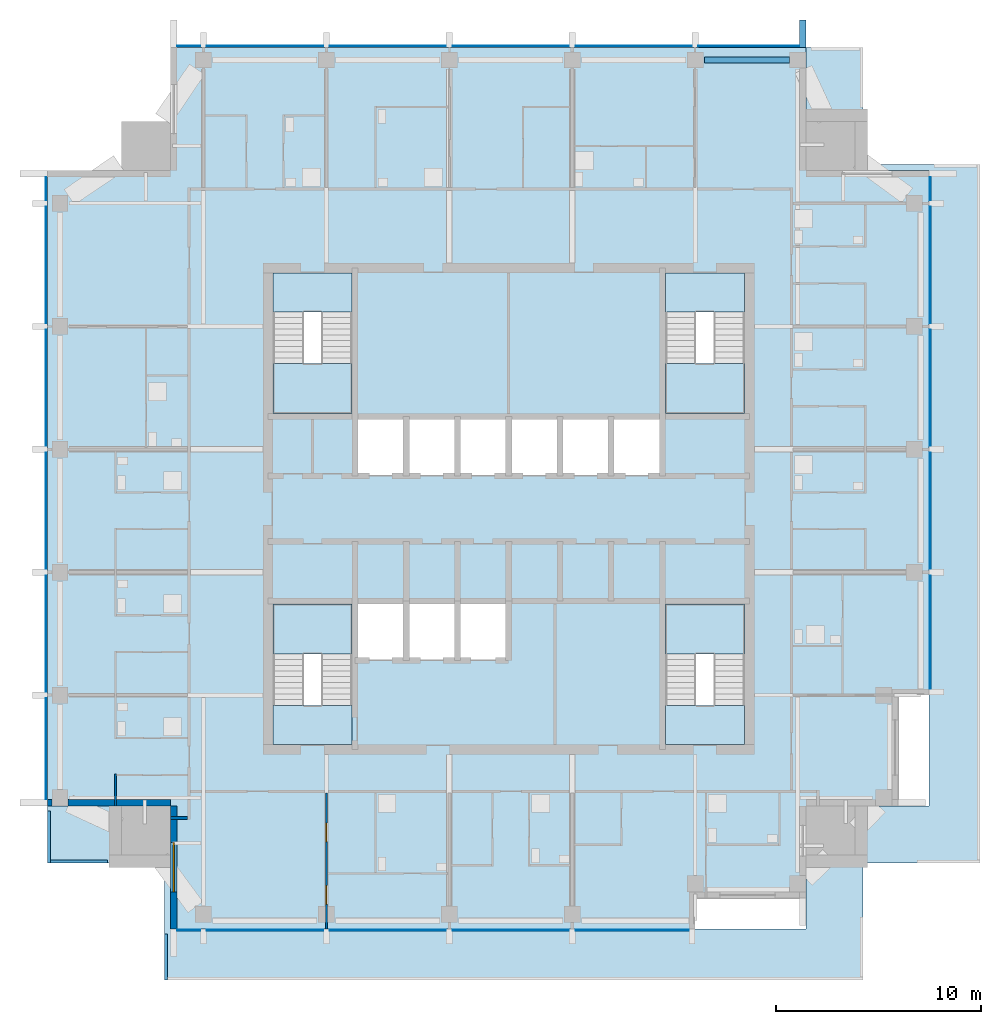
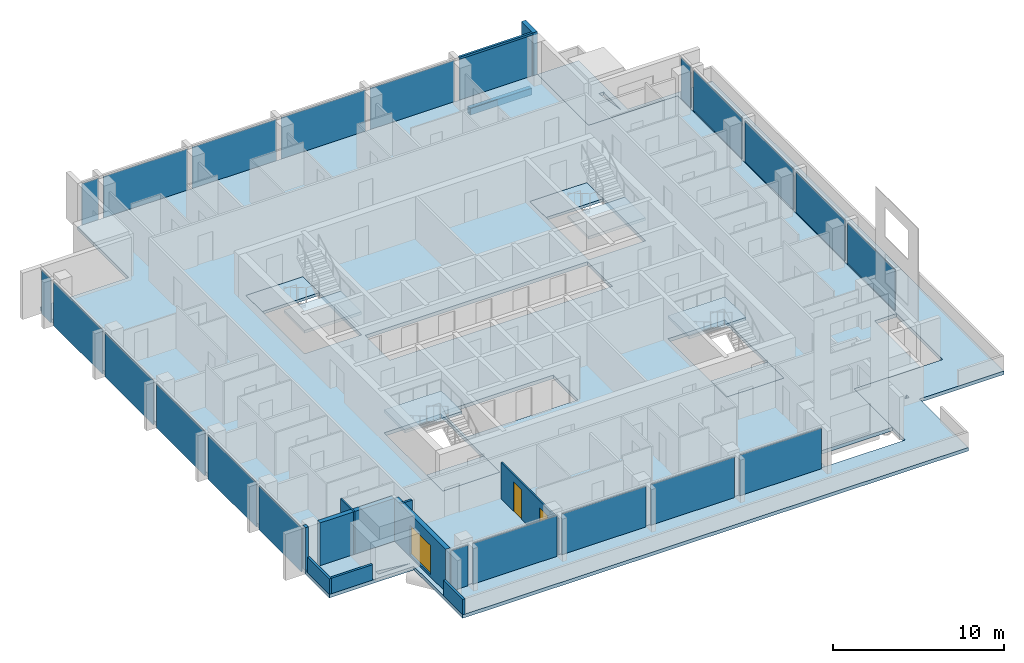
# One storey, part 3 of 11: 22 plates, 10 slabs, 9 walls, 2 doors, 2 members, 1 beam, 1 window, 3 openings, 8 elements without a shape of their own.
"""IFC4 building model written with IfcOpenShell, lengths in metres."""

import ifcopenshell
import ifcopenshell.guid

model = None  # the IFC model being written
_history = None  # IfcOwnerHistory: only IFC2X3 demands one
_inside = {}  # id of a spatial element -> (the spatial element, [elements in it])
_under = {}  # id of a project, library or spatial element -> (it, [spatial elements below it])
_declared = {}  # id of a project -> (the project, [libraries it declares])
_typed = {}  # id of a type object -> (the type object, [elements of that type])
_made_of = {}  # id of a material, layer set ... -> (it, [elements and type objects made of it])


def new_model(schema):
    """Start an empty IFC model of exactly this schema.

    Asked for "IFC4X3", IfcOpenShell would pick the latest addendum, in which some entities
    have other attributes; the version numbers below select the first issue.
    IFC2X3 requires an IfcOwnerHistory on every rooted entity: one is made here for all.
    """
    global model, _history
    if schema == "IFC4X3":
        model = ifcopenshell.file(schema_version=(4, 3, 0, 0))
    else:
        model = ifcopenshell.file(schema=schema)
    _inside.clear()
    _under.clear()
    _declared.clear()
    _typed.clear()
    _made_of.clear()
    _history = None
    if model.schema == "IFC2X3":
        org = make("IfcOrganization", Name="unknown")
        user = make(
            "IfcPersonAndOrganization",
            ThePerson=make("IfcPerson", FamilyName="unknown"),
            TheOrganization=org,
        )
        app = make(
            "IfcApplication",
            ApplicationDeveloper=org,
            Version="unknown",
            ApplicationFullName="unknown",
            ApplicationIdentifier="unknown",
        )
        _history = make(
            "IfcOwnerHistory",
            OwningUser=user,
            OwningApplication=app,
            ChangeAction="ADDED",
            CreationDate=0,
        )
    return model


def make(cls, **values):
    """One entity of the class cls with the attributes given. An attribute that is None is left unset."""
    return model.create_entity(
        cls, **{name: value for name, value in values.items() if value is not None}
    )


def rooted(cls, **values):
    """An entity with a GlobalId (a new one), such as an element, a storey or a relation."""
    return make(cls, GlobalId=ifcopenshell.guid.new(), OwnerHistory=_history, **values)


def si_unit(unit_type, name, prefix=None):
    """IfcSIUnit, for example si_unit("LENGTHUNIT", "METRE", prefix="MILLI")."""
    return make("IfcSIUnit", UnitType=unit_type, Prefix=prefix, Name=name)


def assignment(units):
    """IfcUnitAssignment: the units of a project."""
    return None if units is None else make("IfcUnitAssignment", Units=units)


def point(xyz):
    """IfcCartesianPoint."""
    return None if xyz is None else make("IfcCartesianPoint", Coordinates=xyz)


def direction(xyz):
    """IfcDirection."""
    return None if xyz is None else make("IfcDirection", DirectionRatios=xyz)


def frame(location, z_axis=None, x_axis=None):
    """IfcAxis2Placement3D, a coordinate frame: its origin and axes. An axis left out is left unset."""
    return make(
        "IfcAxis2Placement3D",
        Location=point(location),
        Axis=direction(z_axis),
        RefDirection=direction(x_axis),
    )


def frame_2d(location, x_axis=None):
    """IfcAxis2Placement2D, a coordinate frame in the plane: its origin and x axis."""
    return make(
        "IfcAxis2Placement2D", Location=point(location), RefDirection=direction(x_axis)
    )


def origin():
    """The frame at (0, 0, 0) with its axes left unset."""
    return frame((0.0, 0.0, 0.0))


def origin_2d():
    """The frame at (0, 0) in the plane with its x axis left unset."""
    return frame_2d((0.0, 0.0))


def place(relative_to, where):
    """IfcLocalPlacement: puts the frame where relative to a parent placement (None: the world)."""
    return make(
        "IfcLocalPlacement", PlacementRelTo=relative_to, RelativePlacement=where
    )


def context(
    kind, dimensions, precision=None, world=None, true_north=None, identifier=None
):
    """IfcGeometricRepresentationContext, for example the 3D "Model" context."""
    return make(
        "IfcGeometricRepresentationContext",
        ContextIdentifier=identifier,
        ContextType=kind,
        CoordinateSpaceDimension=dimensions,
        Precision=precision,
        WorldCoordinateSystem=world,
        TrueNorth=true_north,
    )


def subcontext(parent, identifier, kind, view, scale=None):
    """IfcGeometricRepresentationSubContext, for example "Body" below "Model"."""
    return make(
        "IfcGeometricRepresentationSubContext",
        ContextIdentifier=identifier,
        ContextType=kind,
        ParentContext=parent,
        TargetScale=scale,
        TargetView=view,
    )


def project(units=None, contexts=None):
    """IfcProject with its units and contexts."""
    return rooted(
        "IfcProject",
        Name="project",
        RepresentationContexts=contexts,
        UnitsInContext=assignment(units),
    )


def spatial(cls, under=None, at=None, **own):
    """A site, building, storey or space (cls), placed at a placement, below another one or the project."""
    s = rooted(cls, ObjectPlacement=at, **own)
    if under is not None:
        _under.setdefault(under.id(), (under, []))[1].append(s)
    return s


def polyline(points):
    """IfcPolyline through the points."""
    return make("IfcPolyline", Points=[point(p) for p in points])


def profile(cls, at=None, kind="AREA", **sizes):
    """A parametric profile (cls). Its sizes go by their IFC names, for example OverallWidth=200.0."""
    return make(cls, ProfileType=kind, Position=at, **sizes)


def rectangle(**sizes):
    """IfcRectangleProfileDef."""
    return profile("IfcRectangleProfileDef", **sizes)


def hollow_rectangle(**sizes):
    """IfcRectangleHollowProfileDef."""
    return profile("IfcRectangleHollowProfileDef", **sizes)


def outline(outer, holes=None, kind="AREA"):
    """IfcArbitraryClosedProfileDef: a profile drawn as a closed curve; with holes, ...WithVoids."""
    if holes is None:
        return make("IfcArbitraryClosedProfileDef", ProfileType=kind, OuterCurve=outer)
    return make(
        "IfcArbitraryProfileDefWithVoids",
        ProfileType=kind,
        OuterCurve=outer,
        InnerCurves=holes,
    )


def extrude(swept, where, along, depth):
    """IfcExtrudedAreaSolid: the profile swept, set in the frame where, extruded along a direction by depth."""
    return make(
        "IfcExtrudedAreaSolid",
        SweptArea=swept,
        Position=where,
        ExtrudedDirection=direction(along),
        Depth=depth,
    )


def shape(context_of_items, identifier, shape_type, items):
    """IfcShapeRepresentation: the items that make up one representation, for example the "Body"."""
    return make(
        "IfcShapeRepresentation",
        ContextOfItems=context_of_items,
        RepresentationIdentifier=identifier,
        RepresentationType=shape_type,
        Items=items,
    )


def material(Name=None, Category=None):
    """IfcMaterial."""
    return make("IfcMaterial", Name=Name, Category=Category)


def layer(
    of_material, thickness, ventilated=None, Name=None, Category=None, Priority=None
):
    """IfcMaterialLayer: one layer of a wall or slab, of a material (None: an air gap)."""
    return make(
        "IfcMaterialLayer",
        Material=of_material,
        LayerThickness=thickness,
        IsVentilated=ventilated,
        Name=Name,
        Category=Category,
        Priority=Priority,
    )


def layer_set(layers, Name=None):
    """IfcMaterialLayerSet."""
    return make("IfcMaterialLayerSet", MaterialLayers=layers, LayerSetName=Name)


def material_profile(
    of_material, cross_section, Name=None, Category=None, Priority=None
):
    """IfcMaterialProfile: a cross section and its material."""
    return make(
        "IfcMaterialProfile",
        Name=Name,
        Material=of_material,
        Profile=cross_section,
        Priority=Priority,
        Category=Category,
    )


def profile_set(profiles, Name=None, composite=None):
    """IfcMaterialProfileSet."""
    return make(
        "IfcMaterialProfileSet",
        Name=Name,
        MaterialProfiles=profiles,
        CompositeProfile=composite,
    )


def made_of(thing, what):
    """Note that an element or type object is made of a material, layer set ...; save() writes the relation."""
    if what is not None:
        _made_of.setdefault(what.id(), (what, []))[1].append(thing)
    return thing


def type_object(cls, material=None, **own):
    """A type object (cls), such as IfcWallType, which elements share."""
    return made_of(rooted(cls, **own), material)


def element(
    cls,
    number,
    at=None,
    inside=None,
    cuts=None,
    type_object=None,
    material=None,
    context=None,
    identifier="Body",
    shape_type=None,
    held_by="IfcProductDefinitionShape",
    body=None,
    shapes=None,
    **own,
):
    """One element of the class cls, such as IfcWall. Its Tag is "e" and its number.

    at: its placement. inside: the storey or other place that contains it. cuts: it is an
    opening in that element (IfcRelVoidsElement). A single representation is given by context,
    identifier, shape_type and body (its items); several are given by shapes. held_by: the class
    of the entity that holds the representations. save() writes the other relations.
    """
    e = rooted(cls, Tag="e%d" % number, ObjectPlacement=at, **own)
    if body is not None:
        shapes = [shape(context, identifier, shape_type, body)]
    if shapes is not None:
        e.Representation = make(held_by, Representations=shapes)
    if inside is not None:
        _inside.setdefault(inside.id(), (inside, []))[1].append(e)
    if cuts is not None:
        rooted(
            "IfcRelVoidsElement", RelatingBuildingElement=cuts, RelatedOpeningElement=e
        )
    if type_object is not None:
        _typed.setdefault(type_object.id(), (type_object, []))[1].append(e)
    return made_of(e, material)


def fill(opening, filler):
    """IfcRelFillsElement: the door or window that sits in an opening."""
    return rooted(
        "IfcRelFillsElement",
        RelatingOpeningElement=opening,
        RelatedBuildingElement=filler,
    )


def aggregate(whole, parts):
    """IfcRelAggregates: a whole, such as a stair, and the parts it consists of."""
    return rooted("IfcRelAggregates", RelatingObject=whole, RelatedObjects=parts)


def save(model, path):
    """Write the relations noted so far, then the file.

    IfcRelAggregates (storeys below a building ...), IfcRelContainedInSpatialStructure (elements
    in a storey), IfcRelDefinesByType, IfcRelAssociatesMaterial and IfcRelDeclares: one each for
    every whole, place, type object, material and project.
    """
    for whole, parts in _under.values():
        aggregate(whole, parts)
    for where, things in _inside.values():
        rooted(
            "IfcRelContainedInSpatialStructure",
            RelatedElements=things,
            RelatingStructure=where,
        )
    for kind, things in _typed.values():
        rooted("IfcRelDefinesByType", RelatedObjects=things, RelatingType=kind)
    for what, things in _made_of.values():
        rooted("IfcRelAssociatesMaterial", RelatedObjects=things, RelatingMaterial=what)
    for by, libraries in _declared.values():
        rooted("IfcRelDeclares", RelatingContext=by, RelatedDefinitions=libraries)
    model.write(path)


model = new_model("IFC4")

# Units and contexts
model_context = context("Model", 3, precision=1e-05, world=origin(), true_north=direction((0.0, 1.0)))
body_context = subcontext(model_context, "Body", "Model", "MODEL_VIEW")
ifc_project = project(units=[si_unit("LENGTHUNIT", "METRE"), si_unit("AREAUNIT", "SQUARE_METRE"), si_unit("VOLUMEUNIT", "CUBIC_METRE"), si_unit("PLANEANGLEUNIT", "RADIAN"), si_unit("MASSUNIT", "GRAM", prefix="KILO")], contexts=[model_context])

# Site, building, storey
site_placement = place(None, origin())
site = spatial("IfcSite", under=ifc_project, at=site_placement, CompositionType="ELEMENT")
building_placement = place(site_placement, origin())
building = spatial("IfcBuilding", under=site, at=building_placement, Name="Amberfall Residences", CompositionType="ELEMENT")
storey_placement = place(building_placement, frame((0.0, 0.0, 238.89990234375)))
storey = spatial("IfcBuildingStorey", under=building, at=storey_placement, Name="L63", CompositionType="ELEMENT", Elevation=238.89990234375)

# Beam
ifc_material_1 = material(Name="Steel S355", Category="steel")
ifc_material_profile_1 = material_profile(ifc_material_1, hollow_rectangle(XDim=0.300048828125, YDim=0.5, WallThickness=0.01611328125, InnerFilletRadius=0.01611328125, OuterFilletRadius=0.02392578125, at=origin_2d()), Name="RHS 500x300x16")
ifc_profile_set_1 = profile_set([ifc_material_profile_1], Name="Steel S355")
beam_type = type_object("IfcBeamType", Name="Belt truss chord BT RHS 500x300x16", PredefinedType="BEAM", material=ifc_profile_set_1)
beam_placement = place(storey_placement, frame((84.050048828125, 67.39990234375, -0.5), z_axis=(1.0, 0.0, 0.0), x_axis=(0.0, 1.0, 0.0)))
element("IfcBeam", 1, at=beam_placement, inside=storey, type_object=beam_type, Name="Belt truss chord BT BT1 L63 29", PredefinedType="BEAM", context=body_context, shape_type="SweptSolid", body=[
    extrude(hollow_rectangle(XDim=0.300048828125, YDim=0.5, WallThickness=0.01611328125, InnerFilletRadius=0.01611328125, OuterFilletRadius=0.02392578125, at=origin_2d()), origin(), (0.0, 0.0, 1.0), 4.151611328125),
])

# Curtain wall, members
ifc_material_2 = material(Name="Bronze anodised aluminium and glass", Category="aluminium")
curtain_wall_type = type_object("IfcCurtainWallType", Name="Curtain wall CW1 tower unit", PredefinedType="USERDEFINED", material=ifc_material_2)
curtain_wall_1_placement = place(storey_placement, origin())
curtain_wall_1 = element("IfcCurtainWall", 2, at=curtain_wall_1_placement, inside=storey, type_object=curtain_wall_type, Name="Curtain wall L63 N N1", ObjectType="UNITISED CURTAIN WALL", PredefinedType="USERDEFINED")
ifc_material_3 = material(Name="Bronze anodised aluminium", Category="aluminium")
ifc_material_profile_2 = material_profile(ifc_material_3, rectangle(XDim=0.14990234375, YDim=0.14990234375, at=origin_2d()), Name="CW1 transom 150 x 150 bronze")
ifc_profile_set_2 = profile_set([ifc_material_profile_2], Name="Bronze anodised aluminium")
member_type_1 = type_object("IfcMemberType", Name="CW1 transom 150 x 150 bronze", PredefinedType="USERDEFINED", material=ifc_profile_set_2)
member_1_placement = place(storey_placement, frame((88.699951171875, 68.074951171875, 2.97509765625), z_axis=(-1.0, 0.0, 0.0), x_axis=(0.0, -1.0, 0.0)))
member_1 = element("IfcMember", 3, at=member_1_placement, type_object=member_type_1, Name="CW1 transom 1.1", ObjectType="TRANSOM", PredefinedType="USERDEFINED", context=body_context, shape_type="SweptSolid", body=[
    extrude(rectangle(XDim=0.14990234375, YDim=0.14990234375, at=origin_2d()), origin(), (0.0, 0.0, 1.0), 4.949951171875),
])
ifc_material_profile_3 = material_profile(ifc_material_3, rectangle(XDim=1.35009765625, YDim=0.300048828125, at=origin_2d()), Name="Corner fin 300 x 1350 bronze")
ifc_profile_set_3 = profile_set([ifc_material_profile_3], Name="Bronze anodised aluminium")
member_type_2 = type_object("IfcMemberType", Name="Corner fin 300 x 1350 bronze", PredefinedType="MULLION", material=ifc_profile_set_3)
member_2_placement = place(storey_placement, frame((88.85009765625, 68.675048828125, -0.25), z_axis=(0.0, 0.0, 1.0), x_axis=(0.0, -1.0, 0.0)))
member_2 = element("IfcMember", 4, at=member_2_placement, type_object=member_type_2, Name="CW FIN 1", PredefinedType="MULLION", context=body_context, shape_type="SweptSolid", body=[
    extrude(rectangle(XDim=1.35009765625, YDim=0.300048828125, at=origin_2d()), origin(), (0.0, 0.0, 1.0), 3.300048828125),
])

# Curtain wall, plates
curtain_wall_2_placement = place(storey_placement, origin())
curtain_wall_2 = element("IfcCurtainWall", 5, at=curtain_wall_2_placement, inside=storey, type_object=curtain_wall_type, Name="Curtain wall L63 S S1", ObjectType="UNITISED CURTAIN WALL", PredefinedType="USERDEFINED")
ifc_material_4 = material(Name="Tinted double glazed unit", Category="glass")
ifc_layer_1 = layer(ifc_material_4, 0.035888671875)
ifc_layer_set_1 = layer_set([ifc_layer_1], Name="CW1 panel 36 glazing")
plate_type = type_object("IfcPlateType", Name="CW1 panel 36 glazing", PredefinedType="CURTAIN_PANEL", material=ifc_layer_set_1)
plate_1_placement = place(storey_placement, frame((58.875, 24.925048828125, 0.000244140625), z_axis=(0.0, 0.0, 1.0), x_axis=(1.0, 0.0, 0.0)))
plate_1 = element("IfcPlate", 6, at=plate_1_placement, type_object=plate_type, Name="CW1 panel 1.1", PredefinedType="CURTAIN_PANEL", context=body_context, shape_type="SweptSolid", body=[
    extrude(rectangle(XDim=1.1259765625, YDim=0.035888671875, at=origin_2d()), origin(), (0.0, 0.0, 1.0), 2.89990234375),
])
plate_2_placement = place(storey_placement, frame((62.60009765625, 24.925048828125, 0.000244140625), z_axis=(0.0, 0.0, 1.0), x_axis=(1.0, 0.0, 0.0)))
plate_2 = element("IfcPlate", 7, at=plate_2_placement, type_object=plate_type, Name="CW1 panel 2.1", PredefinedType="CURTAIN_PANEL", context=body_context, shape_type="SweptSolid", body=[
    extrude(rectangle(XDim=5.676025390625, YDim=0.035888671875, at=origin_2d()), origin(), (0.0, 0.0, 1.0), 2.89990234375),
])
plate_3_placement = place(storey_placement, frame((68.60009765625, 24.925048828125, 0.000244140625), z_axis=(0.0, 0.0, 1.0), x_axis=(1.0, 0.0, 0.0)))
plate_3 = element("IfcPlate", 8, at=plate_3_placement, type_object=plate_type, Name="CW1 panel 3.1", PredefinedType="CURTAIN_PANEL", context=body_context, shape_type="SweptSolid", body=[
    extrude(rectangle(XDim=5.676025390625, YDim=0.035888671875, at=origin_2d()), origin(), (0.0, 0.0, 1.0), 2.89990234375),
])
plate_4_placement = place(storey_placement, frame((74.60009765625, 24.925048828125, 0.000244140625), z_axis=(0.0, 0.0, 1.0), x_axis=(1.0, 0.0, 0.0)))
plate_4 = element("IfcPlate", 9, at=plate_4_placement, type_object=plate_type, Name="CW1 panel 4.1", PredefinedType="CURTAIN_PANEL", context=body_context, shape_type="SweptSolid", body=[
    extrude(rectangle(XDim=5.676025390625, YDim=0.035888671875, at=origin_2d()), origin(), (0.0, 0.0, 1.0), 2.89990234375),
])
plate_5_placement = place(storey_placement, frame((80.52490234375, 24.925048828125, 0.000244140625), z_axis=(0.0, 0.0, 1.0), x_axis=(1.0, 0.0, 0.0)))
plate_5 = element("IfcPlate", 10, at=plate_5_placement, type_object=plate_type, Name="CW1 panel 5.1", PredefinedType="CURTAIN_PANEL", context=body_context, shape_type="SweptSolid", body=[
    extrude(rectangle(XDim=5.52587890625, YDim=0.035888671875, at=origin_2d()), origin(), (0.0, 0.0, 1.0), 2.89990234375),
])
aggregate(curtain_wall_2, [plate_1, plate_2, plate_3, plate_4, plate_5])

curtain_wall_3_placement = place(storey_placement, origin())
curtain_wall_3 = element("IfcCurtainWall", 11, at=curtain_wall_3_placement, inside=storey, type_object=curtain_wall_type, Name="Curtain wall L63 E E3", ObjectType="UNITISED CURTAIN WALL", PredefinedType="USERDEFINED")
plate_6_placement = place(storey_placement, frame((95.074951171875, 39.47509765625, 0.000244140625), z_axis=(0.0, 0.0, 1.0), x_axis=(0.0, 1.0, 0.0)))
plate_6 = element("IfcPlate", 12, at=plate_6_placement, type_object=plate_type, Name="CW1 panel 1.1", PredefinedType="CURTAIN_PANEL", context=body_context, shape_type="SweptSolid", body=[
    extrude(rectangle(XDim=5.52587890625, YDim=0.035888671875, at=origin_2d()), origin(), (0.0, 0.0, 1.0), 2.89990234375),
])
plate_7_placement = place(storey_placement, frame((95.074951171875, 45.39990234375, 0.000244140625), z_axis=(0.0, 0.0, 1.0), x_axis=(0.0, 1.0, 0.0)))
plate_7 = element("IfcPlate", 13, at=plate_7_placement, type_object=plate_type, Name="CW1 panel 2.1", PredefinedType="CURTAIN_PANEL", context=body_context, shape_type="SweptSolid", body=[
    extrude(rectangle(XDim=5.676025390625, YDim=0.035888671875, at=origin_2d()), origin(), (0.0, 0.0, 1.0), 2.89990234375),
])
plate_8_placement = place(storey_placement, frame((95.074951171875, 51.39990234375, 0.000244140625), z_axis=(0.0, 0.0, 1.0), x_axis=(0.0, 1.0, 0.0)))
plate_8 = element("IfcPlate", 14, at=plate_8_placement, type_object=plate_type, Name="CW1 panel 3.1", PredefinedType="CURTAIN_PANEL", context=body_context, shape_type="SweptSolid", body=[
    extrude(rectangle(XDim=5.676025390625, YDim=0.035888671875, at=origin_2d()), origin(), (0.0, 0.0, 1.0), 2.89990234375),
])
plate_9_placement = place(storey_placement, frame((95.074951171875, 57.39990234375, 0.000244140625), z_axis=(0.0, 0.0, 1.0), x_axis=(0.0, 1.0, 0.0)))
plate_9 = element("IfcPlate", 15, at=plate_9_placement, type_object=plate_type, Name="CW1 panel 4.1", PredefinedType="CURTAIN_PANEL", context=body_context, shape_type="SweptSolid", body=[
    extrude(rectangle(XDim=5.676025390625, YDim=0.035888671875, at=origin_2d()), origin(), (0.0, 0.0, 1.0), 2.89990234375),
])
plate_10_placement = place(storey_placement, frame((95.074951171875, 61.125, 0.000244140625), z_axis=(0.0, 0.0, 1.0), x_axis=(0.0, 1.0, 0.0)))
plate_10 = element("IfcPlate", 16, at=plate_10_placement, type_object=plate_type, Name="CW1 panel 5.1", PredefinedType="CURTAIN_PANEL", context=body_context, shape_type="SweptSolid", body=[
    extrude(rectangle(XDim=1.1259765625, YDim=0.035888671875, at=origin_2d()), origin(), (0.0, 0.0, 1.0), 2.89990234375),
])
aggregate(curtain_wall_3, [plate_6, plate_7, plate_8, plate_9, plate_10])

# Plate
plate_11_placement = place(storey_placement, frame((86.22509765625, 68.074951171875, -0.249755859375), z_axis=(0.0, 0.0, 1.0), x_axis=(-1.0, 0.0, 0.0)))
plate_11 = element("IfcPlate", 17, at=plate_11_placement, type_object=plate_type, Name="CW1 panel 1.1", PredefinedType="CURTAIN_PANEL", context=body_context, shape_type="SweptSolid", body=[
    extrude(rectangle(XDim=4.926025390625, YDim=0.035888671875, at=origin_2d()), origin(), (0.0, 0.0, 1.0), 3.14990234375),
])

plate_12_placement = place(storey_placement, frame((80.60009765625, 68.074951171875, -0.249755859375), z_axis=(0.0, 0.0, 1.0), x_axis=(-1.0, 0.0, 0.0)))
plate_12 = element("IfcPlate", 18, at=plate_12_placement, type_object=plate_type, Name="CW1 panel 2.1", PredefinedType="CURTAIN_PANEL", context=body_context, shape_type="SweptSolid", body=[
    extrude(rectangle(XDim=5.676025390625, YDim=0.035888671875, at=origin_2d()), origin(), (0.0, 0.0, 1.0), 3.14990234375),
])

plate_13_placement = place(storey_placement, frame((74.60009765625, 68.074951171875, -0.249755859375), z_axis=(0.0, 0.0, 1.0), x_axis=(-1.0, 0.0, 0.0)))
plate_13 = element("IfcPlate", 19, at=plate_13_placement, type_object=plate_type, Name="CW1 panel 3.1", PredefinedType="CURTAIN_PANEL", context=body_context, shape_type="SweptSolid", body=[
    extrude(rectangle(XDim=5.676025390625, YDim=0.035888671875, at=origin_2d()), origin(), (0.0, 0.0, 1.0), 3.14990234375),
])

plate_14_placement = place(storey_placement, frame((68.60009765625, 68.074951171875, -0.249755859375), z_axis=(0.0, 0.0, 1.0), x_axis=(-1.0, 0.0, 0.0)))
plate_14 = element("IfcPlate", 20, at=plate_14_placement, type_object=plate_type, Name="CW1 panel 4.1", PredefinedType="CURTAIN_PANEL", context=body_context, shape_type="SweptSolid", body=[
    extrude(rectangle(XDim=5.676025390625, YDim=0.035888671875, at=origin_2d()), origin(), (0.0, 0.0, 1.0), 3.14990234375),
])

plate_15_placement = place(storey_placement, frame((62.60009765625, 68.074951171875, -0.249755859375), z_axis=(0.0, 0.0, 1.0), x_axis=(-1.0, 0.0, 0.0)))
plate_15 = element("IfcPlate", 21, at=plate_15_placement, type_object=plate_type, Name="CW1 panel 5.1", PredefinedType="CURTAIN_PANEL", context=body_context, shape_type="SweptSolid", body=[
    extrude(rectangle(XDim=5.676025390625, YDim=0.035888671875, at=origin_2d()), origin(), (0.0, 0.0, 1.0), 3.14990234375),
])

plate_16_placement = place(storey_placement, frame((58.875, 68.074951171875, -0.249755859375), z_axis=(0.0, 0.0, 1.0), x_axis=(-1.0, 0.0, 0.0)))
plate_16 = element("IfcPlate", 22, at=plate_16_placement, type_object=plate_type, Name="CW1 panel 6.1", PredefinedType="CURTAIN_PANEL", context=body_context, shape_type="SweptSolid", body=[
    extrude(rectangle(XDim=1.1259765625, YDim=0.035888671875, at=origin_2d()), origin(), (0.0, 0.0, 1.0), 3.14990234375),
])

aggregate(curtain_wall_1, [member_2, member_1, plate_11, plate_12, plate_13, plate_14, plate_15, plate_16])

# Curtain wall, plates
curtain_wall_4_placement = place(storey_placement, origin())
curtain_wall_4 = element("IfcCurtainWall", 23, at=curtain_wall_4_placement, inside=storey, type_object=curtain_wall_type, Name="Curtain wall L63 W W1", ObjectType="UNITISED CURTAIN WALL", PredefinedType="USERDEFINED")
plate_17_placement = place(storey_placement, frame((51.925048828125, 61.125, -0.249755859375), z_axis=(0.0, 0.0, 1.0), x_axis=(0.0, -1.0, 0.0)))
plate_17 = element("IfcPlate", 24, at=plate_17_placement, type_object=plate_type, Name="CW1 panel 1.1", PredefinedType="CURTAIN_PANEL", context=body_context, shape_type="SweptSolid", body=[
    extrude(rectangle(XDim=1.1259765625, YDim=0.035888671875, at=origin_2d()), origin(), (0.0, 0.0, 1.0), 3.14990234375),
])
plate_18_placement = place(storey_placement, frame((51.925048828125, 57.39990234375, -0.249755859375), z_axis=(0.0, 0.0, 1.0), x_axis=(0.0, -1.0, 0.0)))
plate_18 = element("IfcPlate", 25, at=plate_18_placement, type_object=plate_type, Name="CW1 panel 2.1", PredefinedType="CURTAIN_PANEL", context=body_context, shape_type="SweptSolid", body=[
    extrude(rectangle(XDim=5.676025390625, YDim=0.035888671875, at=origin_2d()), origin(), (0.0, 0.0, 1.0), 3.14990234375),
])
plate_19_placement = place(storey_placement, frame((51.925048828125, 51.39990234375, -0.249755859375), z_axis=(0.0, 0.0, 1.0), x_axis=(0.0, -1.0, 0.0)))
plate_19 = element("IfcPlate", 26, at=plate_19_placement, type_object=plate_type, Name="CW1 panel 3.1", PredefinedType="CURTAIN_PANEL", context=body_context, shape_type="SweptSolid", body=[
    extrude(rectangle(XDim=5.676025390625, YDim=0.035888671875, at=origin_2d()), origin(), (0.0, 0.0, 1.0), 3.14990234375),
])
plate_20_placement = place(storey_placement, frame((51.925048828125, 45.39990234375, -0.249755859375), z_axis=(0.0, 0.0, 1.0), x_axis=(0.0, -1.0, 0.0)))
plate_20 = element("IfcPlate", 27, at=plate_20_placement, type_object=plate_type, Name="CW1 panel 4.1", PredefinedType="CURTAIN_PANEL", context=body_context, shape_type="SweptSolid", body=[
    extrude(rectangle(XDim=5.676025390625, YDim=0.035888671875, at=origin_2d()), origin(), (0.0, 0.0, 1.0), 3.14990234375),
])
plate_21_placement = place(storey_placement, frame((51.925048828125, 39.39990234375, -0.249755859375), z_axis=(0.0, 0.0, 1.0), x_axis=(0.0, -1.0, 0.0)))
plate_21 = element("IfcPlate", 28, at=plate_21_placement, type_object=plate_type, Name="CW1 panel 5.1", PredefinedType="CURTAIN_PANEL", context=body_context, shape_type="SweptSolid", body=[
    extrude(rectangle(XDim=5.676025390625, YDim=0.035888671875, at=origin_2d()), origin(), (0.0, 0.0, 1.0), 3.14990234375),
])
plate_22_placement = place(storey_placement, frame((51.925048828125, 33.77490234375, -0.249755859375), z_axis=(0.0, 0.0, 1.0), x_axis=(0.0, -1.0, 0.0)))
plate_22 = element("IfcPlate", 29, at=plate_22_placement, type_object=plate_type, Name="CW1 panel 6.1", PredefinedType="CURTAIN_PANEL", context=body_context, shape_type="SweptSolid", body=[
    extrude(rectangle(XDim=4.926025390625, YDim=0.035888671875, at=origin_2d()), origin(), (0.0, 0.0, 1.0), 3.14990234375),
])
aggregate(curtain_wall_4, [plate_17, plate_18, plate_19, plate_20, plate_21, plate_22])

# Slabs
ifc_material_5 = material(Name="Concrete C50", Category="concrete")
ifc_layer_2 = layer(ifc_material_5, 0.25)
ifc_layer_set_2 = layer_set([ifc_layer_2], Name="Floor slab 250 C50")
slab_type_1 = type_object("IfcSlabType", Name="Floor slab 250 C50", PredefinedType="FLOOR", material=ifc_layer_set_2)
slab_1_placement = place(storey_placement, frame((0.0, 0.0, -0.25)))
element("IfcSlab", 30, at=slab_1_placement, inside=storey, type_object=slab_type_1, Name="Floor slab S19 L63", PredefinedType="FLOOR", context=body_context, shape_type="SweptSolid", body=[
    extrude(outline(polyline([(83.60009765625, 26.5), (83.60009765625, 25.0), (58.0, 25.0), (58.0, 31.0), (52.0, 31.0), (52.0, 62.0), (58.0, 62.0), (58.0, 68.0), (89.0, 68.0), (89.0, 62.0), (95.0, 62.0), (95.0, 36.39990234375), (93.5, 36.39990234375), (93.5, 31.0), (89.0, 31.0), (89.0, 26.5), (83.60009765625, 26.5)]), holes=[polyline([(86.0, 34.0), (86.0, 40.85009765625), (82.14990234375, 40.85009765625), (82.14990234375, 34.0), (86.0, 34.0)]), polyline([(86.0, 50.14990234375), (86.0, 57.0), (82.14990234375, 57.0), (82.14990234375, 50.14990234375), (86.0, 50.14990234375)]), polyline([(67.0, 50.0), (67.0, 47.10009765625), (69.5, 47.10009765625), (72.0, 47.10009765625), (74.5, 47.10009765625), (77.0, 47.10009765625), (79.5, 47.10009765625), (82.0, 47.10009765625), (82.0, 50.0), (79.5, 50.0), (77.0, 50.0), (74.5, 50.0), (72.0, 50.0), (69.5, 50.0), (67.0, 50.0)]), polyline([(69.5, 41.0), (67.0, 41.0), (67.0, 38.10009765625), (69.5, 38.10009765625), (72.0, 38.10009765625), (74.5, 38.10009765625), (74.5, 41.0), (72.0, 41.0), (69.5, 41.0)]), polyline([(66.85009765625, 40.85009765625), (63.0, 40.85009765625), (63.0, 34.0), (66.85009765625, 34.0), (66.85009765625, 40.85009765625)]), polyline([(66.85009765625, 57.0), (63.0, 57.0), (63.0, 50.14990234375), (66.85009765625, 50.14990234375), (66.85009765625, 57.0)])]), origin(), (0.0, 0.0, 1.0), 0.25),
])
ifc_material_6 = material(Name="Concrete C55", Category="concrete")
ifc_layer_3 = layer(ifc_material_6, 0.25)
ifc_layer_set_3 = layer_set([ifc_layer_3], Name="Roof slab 250 C55")
slab_type_2 = type_object("IfcSlabType", Name="Roof slab 250 C55", PredefinedType="ROOF", material=ifc_layer_set_3)
slab_2_placement = place(storey_placement, frame((0.0, 0.0, -0.25)))
element("IfcSlab", 31, at=slab_2_placement, inside=storey, type_object=slab_type_2, Name="Roof slab S20 L63 1", PredefinedType="ROOF", context=body_context, shape_type="SweptSolid", body=[
    extrude(outline(polyline([(91.800048828125, 22.5), (57.699951171875, 22.5), (57.699951171875, 28.199951171875), (52.0, 28.199951171875), (52.0, 31.0), (58.0, 31.0), (58.0, 25.0), (89.0, 25.0), (89.0, 31.0), (95.0, 31.0), (95.0, 62.0), (89.0, 62.0), (89.0, 68.0), (91.800048828125, 68.0), (91.800048828125, 62.300048828125), (97.5, 62.300048828125), (97.5, 28.199951171875), (91.800048828125, 28.199951171875), (91.800048828125, 22.5)]), holes=[polyline([(55.507568359375, 28.58349609375), (55.507080078125, 28.55224609375), (57.638427734375, 28.571044921875), (55.509765625, 28.864501953125), (55.507568359375, 28.58349609375)]), polyline([(91.0625, 28.652587890625), (91.369140625, 28.630859375), (91.36669921875, 28.66552734375), (91.347412109375, 28.9375), (91.204833984375, 28.795166015625), (91.0625, 28.652587890625)]), polyline([(91.1708984375, 64.232177734375), (91.428955078125, 62.361572265625), (91.44775390625, 64.492919921875), (91.135498046875, 64.490234375), (91.1708984375, 64.232177734375)])]), origin(), (0.0, 0.0, 1.0), 0.25),
])

# Stair, slabs
ifc_material_7 = material(Name="Concrete C40", Category="concrete")
stair_type = type_object("IfcStairType", Name="Exit stair 20 risers 165.0 mm", PredefinedType="HALF_TURN_STAIR", material=ifc_material_7)
stair_1_placement = place(storey_placement, origin())
stair_1 = element("IfcStair", 32, at=stair_1_placement, inside=storey, type_object=stair_type, Name="L63 Exit stair 1", PredefinedType="HALF_TURN_STAIR")
ifc_layer_4 = layer(ifc_material_7, 0.199951171875)
ifc_layer_set_4 = layer_set([ifc_layer_4], Name="Stair landing 200")
slab_type_3 = type_object("IfcSlabType", Name="Stair landing 200", PredefinedType="LANDING", material=ifc_layer_set_4)
slab_3_placement = place(storey_placement, frame((0.0, 0.0, 1.4501953125)))
slab_3 = element("IfcSlab", 33, at=slab_3_placement, type_object=slab_type_3, Name="ST3 landing 1", PredefinedType="LANDING", context=body_context, shape_type="SweptSolid", body=[
    extrude(outline(polyline([(66.85009765625, 38.419921875), (66.85009765625, 40.85009765625), (63.0, 40.85009765625), (63.0, 38.419921875), (66.85009765625, 38.419921875)])), origin(), (0.0, 0.0, 1.0), 0.199951171875),
])
slab_4_placement = place(storey_placement, frame((0.0, 0.0, -0.199951171875)))
slab_4 = element("IfcSlab", 34, at=slab_4_placement, type_object=slab_type_3, Name="ST3 landing 2", PredefinedType="LANDING", context=body_context, shape_type="SweptSolid", body=[
    extrude(outline(polyline([(66.85009765625, 34.0), (66.85009765625, 35.89990234375), (63.0, 35.89990234375), (63.0, 34.0), (66.85009765625, 34.0)])), origin(), (0.0, 0.0, 1.0), 0.199951171875),
])
aggregate(stair_1, [slab_3, slab_4])

stair_2_placement = place(storey_placement, origin())
stair_2 = element("IfcStair", 35, at=stair_2_placement, inside=storey, type_object=stair_type, Name="L63 Exit stair 2", PredefinedType="HALF_TURN_STAIR")
slab_5_placement = place(storey_placement, frame((0.0, 0.0, 1.4501953125)))
slab_5 = element("IfcSlab", 36, at=slab_5_placement, type_object=slab_type_3, Name="ST3 landing 1", PredefinedType="LANDING", context=body_context, shape_type="SweptSolid", body=[
    extrude(outline(polyline([(86.0, 38.419921875), (86.0, 40.85009765625), (82.14990234375, 40.85009765625), (82.14990234375, 38.419921875), (86.0, 38.419921875)])), origin(), (0.0, 0.0, 1.0), 0.199951171875),
])
slab_6_placement = place(storey_placement, frame((0.0, 0.0, -0.199951171875)))
slab_6 = element("IfcSlab", 37, at=slab_6_placement, type_object=slab_type_3, Name="ST3 landing 2", PredefinedType="LANDING", context=body_context, shape_type="SweptSolid", body=[
    extrude(outline(polyline([(86.0, 34.0), (86.0, 35.89990234375), (82.14990234375, 35.89990234375), (82.14990234375, 34.0), (86.0, 34.0)])), origin(), (0.0, 0.0, 1.0), 0.199951171875),
])
aggregate(stair_2, [slab_5, slab_6])

stair_3_placement = place(storey_placement, origin())
stair_3 = element("IfcStair", 38, at=stair_3_placement, inside=storey, type_object=stair_type, Name="L63 Exit stair 3", PredefinedType="HALF_TURN_STAIR")
slab_7_placement = place(storey_placement, frame((0.0, 0.0, 1.4501953125)))
slab_7 = element("IfcSlab", 39, at=slab_7_placement, type_object=slab_type_3, Name="ST3 landing 1", PredefinedType="LANDING", context=body_context, shape_type="SweptSolid", body=[
    extrude(outline(polyline([(82.14990234375, 52.580078125), (82.14990234375, 50.14990234375), (86.0, 50.14990234375), (86.0, 52.580078125), (82.14990234375, 52.580078125)])), origin(), (0.0, 0.0, 1.0), 0.199951171875),
])
slab_8_placement = place(storey_placement, frame((0.0, 0.0, -0.199951171875)))
slab_8 = element("IfcSlab", 40, at=slab_8_placement, type_object=slab_type_3, Name="ST3 landing 2", PredefinedType="LANDING", context=body_context, shape_type="SweptSolid", body=[
    extrude(outline(polyline([(82.14990234375, 57.0), (82.14990234375, 55.10009765625), (86.0, 55.10009765625), (86.0, 57.0), (82.14990234375, 57.0)])), origin(), (0.0, 0.0, 1.0), 0.199951171875),
])
aggregate(stair_3, [slab_7, slab_8])

stair_4_placement = place(storey_placement, origin())
stair_4 = element("IfcStair", 41, at=stair_4_placement, inside=storey, type_object=stair_type, Name="L63 Exit stair 4", PredefinedType="HALF_TURN_STAIR")
slab_9_placement = place(storey_placement, frame((0.0, 0.0, 1.4501953125)))
slab_9 = element("IfcSlab", 42, at=slab_9_placement, type_object=slab_type_3, Name="ST3 landing 1", PredefinedType="LANDING", context=body_context, shape_type="SweptSolid", body=[
    extrude(outline(polyline([(63.0, 52.580078125), (63.0, 50.14990234375), (66.85009765625, 50.14990234375), (66.85009765625, 52.580078125), (63.0, 52.580078125)])), origin(), (0.0, 0.0, 1.0), 0.199951171875),
])
slab_10_placement = place(storey_placement, frame((0.0, 0.0, -0.199951171875)))
slab_10 = element("IfcSlab", 43, at=slab_10_placement, type_object=slab_type_3, Name="ST3 landing 2", PredefinedType="LANDING", context=body_context, shape_type="SweptSolid", body=[
    extrude(outline(polyline([(63.0, 57.0), (63.0, 55.10009765625), (66.85009765625, 55.10009765625), (66.85009765625, 57.0), (63.0, 57.0)])), origin(), (0.0, 0.0, 1.0), 0.199951171875),
])
aggregate(stair_4, [slab_9, slab_10])

# Walls
ifc_material_8 = material(Name="Pale stone cladding on insulated backing", Category="masonry")
ifc_layer_5 = layer(ifc_material_8, 0.300048828125)
ifc_layer_set_5 = layer_set([ifc_layer_5], Name="Bronze clad wall 300")
wall_type_1 = type_object("IfcWallType", Name="Bronze clad wall 300", PredefinedType="SOLIDWALL", material=ifc_layer_set_5)
wall_1_placement = place(storey_placement, frame((52.0, 31.14990234375, 0.0), z_axis=(0.0, 0.0, 1.0), x_axis=(1.0, 0.0, 0.0)))
element("IfcWall", 44, at=wall_1_placement, inside=storey, type_object=wall_type_1, Name="External wall L63 SW", PredefinedType="SOLIDWALL", context=body_context, shape_type="SweptSolid", body=[
    extrude(rectangle(XDim=0.199951171875, YDim=0.300048828125, at=frame_2d((0.10009765625, 0.0))), origin(), (0.0, 0.0, 1.0), 3.050048828125),
])
wall_2_placement = place(storey_placement, frame((53.0, 31.14990234375, 0.0), z_axis=(0.0, 0.0, 1.0), x_axis=(1.0, 0.0, 0.0)))
element("IfcWall", 45, at=wall_2_placement, inside=storey, type_object=wall_type_1, Name="External wall L63 SW", PredefinedType="SOLIDWALL", context=body_context, shape_type="SweptSolid", body=[
    extrude(rectangle(XDim=5.0, YDim=0.300048828125, at=frame_2d((2.5, 0.0))), origin(), (0.0, 0.0, 1.0), 3.050048828125),
])

# Wall, opening, window
wall_3_placement = place(storey_placement, frame((58.14990234375, 31.0, 0.0), z_axis=(0.0, 0.0, 1.0), x_axis=(0.0, -1.0, 0.0)))
wall_3 = element("IfcWall", 46, at=wall_3_placement, inside=storey, type_object=wall_type_1, Name="External wall L63 SW", PredefinedType="SOLIDWALL", context=body_context, shape_type="SweptSolid", body=[
    extrude(rectangle(XDim=6.0, YDim=0.300048828125, at=frame_2d((3.0, 0.0))), origin(), (0.0, 0.0, 1.0), 3.050048828125),
])
opening_1_placement = place(wall_3_placement, frame((1.800048828125, 0.0, 0.14990234375)))
opening_1 = element("IfcOpeningElement", 47, at=opening_1_placement, cuts=wall_3, Name="Opening WN5", PredefinedType="OPENING", context=body_context, shape_type="SweptSolid", body=[
    extrude(rectangle(XDim=2.39990234375, YDim=2.10009765625, at=frame_2d((1.199951171875, 1.050048828125))), frame((0.0, 0.159912109375, 0.0), z_axis=(0.0, -1.0, 0.0), x_axis=(1.0, 0.0, 0.0)), (0.0, 0.0, 1.0), 0.320068359375),
])
ifc_material_9 = material(Name="Bronze aluminium framed glazing", Category="aluminium")
window_type = type_object("IfcWindowType", Name="Glazed opening 2400 x 2100 bronze", PartitioningType="DOUBLE_PANEL_VERTICAL", PredefinedType="WINDOW", material=ifc_material_9)
window_placement = place(opening_1_placement, origin())
window = element("IfcWindow", 48, at=window_placement, inside=storey, type_object=window_type, Name="Window L63 SW", OverallHeight=2.10009765625, OverallWidth=2.39990234375, PartitioningType="DOUBLE_PANEL_VERTICAL", PredefinedType="WINDOW", context=body_context, shape_type="SweptSolid", body=[
    extrude(rectangle(XDim=2.39990234375, YDim=2.10009765625, at=frame_2d((1.199951171875, 1.050048828125))), frame((0.0, 0.030029296875, 0.0), z_axis=(0.0, -1.0, 0.0), x_axis=(1.0, 0.0, 0.0)), (0.0, 0.0, 1.0), 0.06005859375),
])
fill(opening_1, window)

# Wall
ifc_material_10 = material(Name="Gypsum board on metal stud")
ifc_layer_6 = layer(ifc_material_10, 0.10009765625)
ifc_layer_set_6 = layer_set([ifc_layer_6], Name="Flat partition 100")
wall_type_2 = type_object("IfcWallType", Name="Flat partition 100", PredefinedType="PARTITIONING", material=ifc_layer_set_6)
wall_4_placement = place(storey_placement, frame((55.300048828125, 31.0, 0.0), z_axis=(0.0, 0.0, 1.0), x_axis=(0.0, 1.0, 0.0)))
element("IfcWall", 49, at=wall_4_placement, inside=storey, type_object=wall_type_2, Name="Partition 001", PredefinedType="PARTITIONING", context=body_context, shape_type="SweptSolid", body=[
    extrude(rectangle(XDim=1.550048828125, YDim=0.10009765625, at=frame_2d((0.77490234375, 0.0))), origin(), (0.0, 0.0, 1.0), 3.050048828125),
])

# Wall, openings, doors
wall_5_placement = place(storey_placement, frame((65.60009765625, 31.625, 0.0), z_axis=(0.0, 0.0, 1.0), x_axis=(0.0, -1.0, 0.0)))
wall_5 = element("IfcWall", 50, at=wall_5_placement, inside=storey, type_object=wall_type_2, Name="Partition 008", PredefinedType="PARTITIONING", context=body_context, shape_type="SweptSolid", body=[
    extrude(rectangle(XDim=6.625, YDim=0.10009765625, at=frame_2d((3.3125, 0.0))), origin(), (0.0, 0.0, 1.0), 2.590087890625),
])
opening_2_placement = place(wall_5_placement, frame((1.47509765625, 0.0, 0.0)))
opening_2 = element("IfcOpeningElement", 51, at=opening_2_placement, cuts=wall_5, Name="Opening D41", PredefinedType="OPENING", context=body_context, shape_type="SweptSolid", body=[
    extrude(rectangle(XDim=0.89990234375, YDim=2.10009765625, at=frame_2d((0.449951171875, 1.050048828125))), frame((0.0, 0.06005859375, 0.0), z_axis=(0.0, -1.0, 0.0), x_axis=(1.0, 0.0, 0.0)), (0.0, 0.0, 1.0), 0.1201171875),
])
opening_3_placement = place(wall_5_placement, frame((4.52490234375, 0.0, 0.0)))
opening_3 = element("IfcOpeningElement", 52, at=opening_3_placement, cuts=wall_5, Name="Opening D41", PredefinedType="OPENING", context=body_context, shape_type="SweptSolid", body=[
    extrude(rectangle(XDim=0.89990234375, YDim=2.10009765625, at=frame_2d((0.449951171875, 1.050048828125))), frame((0.0, 0.06005859375, 0.0), z_axis=(0.0, -1.0, 0.0), x_axis=(1.0, 0.0, 0.0)), (0.0, 0.0, 1.0), 0.1201171875),
])
ifc_material_11 = material(Name="Timber", Category="wood")
door_type = type_object("IfcDoorType", Name="Internal door 900 x 2100", OperationType="SINGLE_SWING_LEFT", PredefinedType="DOOR", material=ifc_material_11)
door_1_placement = place(opening_2_placement, origin())
door_1 = element("IfcDoor", 53, at=door_1_placement, inside=storey, type_object=door_type, Name="Door 6301 kitchen", OperationType="SINGLE_SWING_LEFT", OverallHeight=2.10009765625, OverallWidth=0.89990234375, PredefinedType="DOOR", context=body_context, shape_type="SweptSolid", body=[
    extrude(rectangle(XDim=0.89990234375, YDim=2.10009765625, at=frame_2d((0.449951171875, 1.050048828125))), frame((0.0, 0.02490234375, 0.0), z_axis=(0.0, -1.0, 0.0), x_axis=(1.0, 0.0, 0.0)), (0.0, 0.0, 1.0), 0.050048828125),
])
fill(opening_2, door_1)
door_2_placement = place(opening_3_placement, origin())
door_2 = element("IfcDoor", 54, at=door_2_placement, inside=storey, type_object=door_type, Name="Door 6301 bedroom1", OperationType="SINGLE_SWING_LEFT", OverallHeight=2.10009765625, OverallWidth=0.89990234375, PredefinedType="DOOR", context=body_context, shape_type="SweptSolid", body=[
    extrude(rectangle(XDim=0.89990234375, YDim=2.10009765625, at=frame_2d((0.449951171875, 1.050048828125))), frame((0.0, 0.02490234375, 0.0), z_axis=(0.0, -1.0, 0.0), x_axis=(1.0, 0.0, 0.0)), (0.0, 0.0, 1.0), 0.050048828125),
])
fill(opening_3, door_2)

# Walls
ifc_material_12 = material(Name="Blockwork, plastered", Category="masonry")
ifc_layer_7 = layer(ifc_material_12, 0.14990234375)
ifc_layer_set_7 = layer_set([ifc_layer_7], Name="Flat separating wall 150")
wall_type_3 = type_object("IfcWallType", Name="Flat separating wall 150", PredefinedType="PARTITIONING", material=ifc_layer_set_7)
wall_6_placement = place(storey_placement, frame((58.0, 30.39990234375, 0.0), z_axis=(0.0, 0.0, 1.0), x_axis=(1.0, 0.0, 0.0)))
element("IfcWall", 55, at=wall_6_placement, inside=storey, type_object=wall_type_3, Name="Separating wall 068", PredefinedType="PARTITIONING", context=body_context, shape_type="SweptSolid", body=[
    extrude(rectangle(XDim=0.824951171875, YDim=0.14990234375, at=frame_2d((0.41259765625, 0.0))), origin(), (0.0, 0.0, 1.0), 3.050048828125),
])
ifc_layer_8 = layer(ifc_material_7, 0.14990234375)
ifc_layer_set_8 = layer_set([ifc_layer_8], Name="Ledge parapet 150")
wall_type_4 = type_object("IfcWallType", Name="Ledge parapet 150", PredefinedType="PARAPET", material=ifc_layer_set_8)
wall_7_placement = place(storey_placement, frame((52.074951171875, 30.75, 0.0), z_axis=(0.0, 0.0, 1.0), x_axis=(0.0, -1.0, 0.0)))
element("IfcWall", 56, at=wall_7_placement, inside=storey, type_object=wall_type_4, Name="Roof parapet L63 7", PredefinedType="PARAPET", context=body_context, shape_type="SweptSolid", body=[
    extrude(rectangle(XDim=2.550048828125, YDim=0.14990234375, at=frame_2d((1.27490234375, 0.0))), origin(), (0.0, 0.0, 1.0), 1.10009765625),
])
wall_8_placement = place(storey_placement, frame((52.14990234375, 28.27490234375, 0.0), z_axis=(0.0, 0.0, 1.0), x_axis=(1.0, 0.0, 0.0)))
element("IfcWall", 57, at=wall_8_placement, inside=storey, type_object=wall_type_4, Name="Roof parapet L63 8", PredefinedType="PARAPET", context=body_context, shape_type="SweptSolid", body=[
    extrude(rectangle(XDim=2.776123046875, YDim=0.14990234375, at=frame_2d((1.38818359375, 0.0))), origin(), (0.0, 0.0, 1.0), 1.10009765625),
])
wall_9_placement = place(storey_placement, frame((57.77490234375, 24.75, 0.0), z_axis=(0.0, 0.0, 1.0), x_axis=(0.0, -1.0, 0.0)))
element("IfcWall", 58, at=wall_9_placement, inside=storey, type_object=wall_type_4, Name="Roof parapet L63 9", PredefinedType="PARAPET", context=body_context, shape_type="SweptSolid", body=[
    extrude(rectangle(XDim=2.25, YDim=0.14990234375, at=frame_2d((1.125, 0.0))), origin(), (0.0, 0.0, 1.0), 1.10009765625),
])

save(model, "model.ifc")
